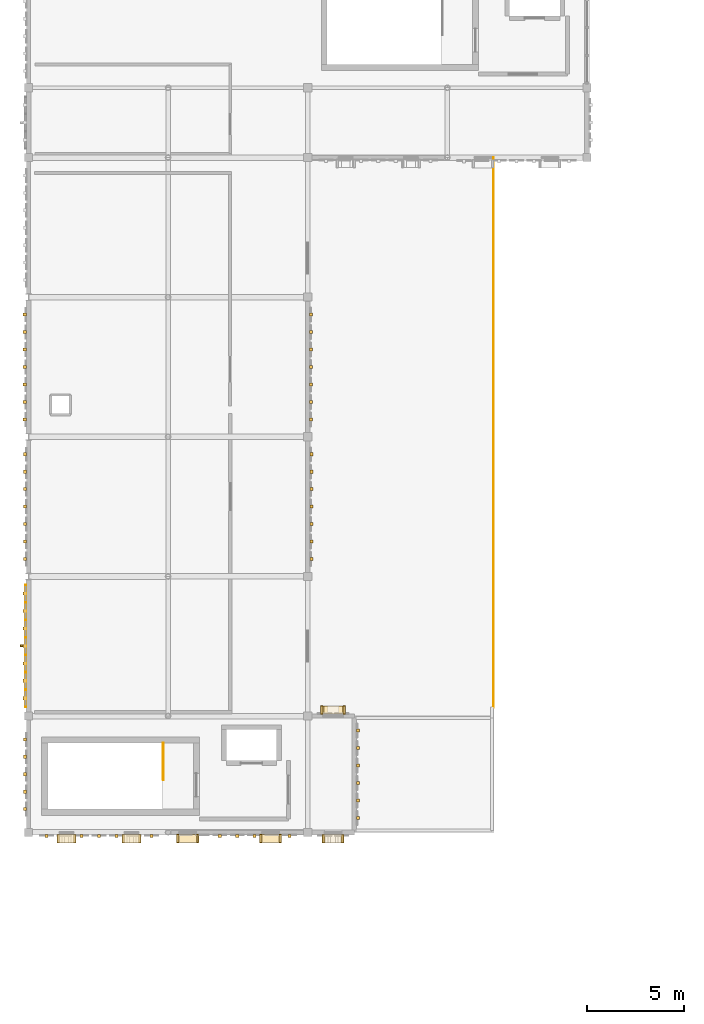
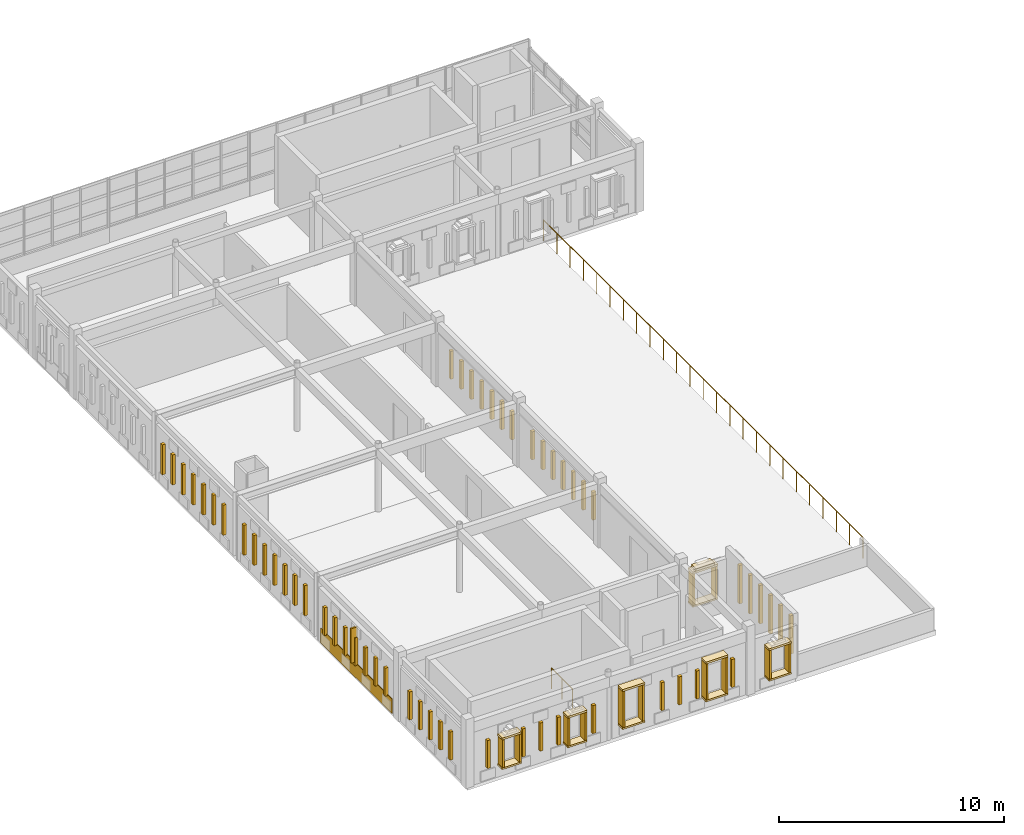
# One storey, part 35 of 46: 81 coverings, 2 railings, 1 shading device.
"""IFC4 building model written with IfcOpenShell, lengths in metres."""

from ifc_helpers import new_model, si_unit, direction, frame, origin, origin_2d, place, context, subcontext, project, spatial, rectangle, circle, extrude, material, layer, layer_set, type_object, element, save


model = new_model("IFC4")

# Units and contexts
model_context = context("Model", 3, precision=1e-05, world=origin(), true_north=direction((0.0, 1.0)))
body_context = subcontext(model_context, "Body", "Model", "MODEL_VIEW")
ifc_project = project(units=[si_unit("LENGTHUNIT", "METRE"), si_unit("AREAUNIT", "SQUARE_METRE"), si_unit("VOLUMEUNIT", "CUBIC_METRE"), si_unit("PLANEANGLEUNIT", "RADIAN"), si_unit("MASSUNIT", "GRAM", prefix="KILO")], contexts=[model_context])

# Site, building, storey
site_placement = place(None, origin())
site = spatial("IfcSite", under=ifc_project, at=site_placement, CompositionType="ELEMENT")
building_placement = place(site_placement, origin())
building = spatial("IfcBuilding", under=site, at=building_placement, Name="Nzembalo Square Collegiate School", CompositionType="ELEMENT")
storey_placement = place(building_placement, frame((0.0, 0.0, 17.340087890625)))
storey = spatial("IfcBuildingStorey", under=building, at=storey_placement, Name="L04", CompositionType="ELEMENT", Elevation=17.340087890625)

# Coverings
ifc_material_1 = material(Name="Glazed cobalt ceramic patterned tile")
ifc_layer_1 = layer(ifc_material_1, 0.074951171875, Name="Glazed cobalt ceramic patterned tile")
ifc_layer_set_1 = layer_set([ifc_layer_1], Name="Glazed cobalt ceramic patterned tile")
covering_type_1 = type_object("IfcCoveringType", Name="CL01", PredefinedType="CLADDING", material=ifc_layer_set_1)
covering_1_placement = place(storey_placement, frame((8.262451171875, 54.02001953125, 0.02001953125), z_axis=(0.0, 0.0, 1.0), x_axis=(1.0, 0.0, 0.0)))
element("IfcCovering", 1, at=covering_1_placement, inside=storey, type_object=covering_type_1, Name="Faience spandrel cladding CL01-0268", PredefinedType="CLADDING", context=body_context, shape_type="SweptSolid", body=[
    extrude(rectangle(XDim=0.034912109375, YDim=6.31591796875, at=origin_2d()), origin(), (0.0, 0.0, 1.0), 0.800048828125),
])
ifc_material_2 = material(Name="Glazed ochre ceramic lancet rib")
ifc_layer_2 = layer(ifc_material_2, 0.159912109375, Name="Glazed ochre ceramic lancet rib")
ifc_layer_set_2 = layer_set([ifc_layer_2], Name="Glazed ochre ceramic lancet rib")
covering_type_2 = type_object("IfcCoveringType", Name="CL02", PredefinedType="CLADDING", material=ifc_layer_set_2)
for number, where, z_axis, x_axis, name in (
    (2, (9.336669921875, 44.20751953125, 0.760009765625), (0.0, 0.0, 1.0), (1.0, 0.0, 0.0), "Gothic ceramic rib CL02-X0264-0"),
    (3, (11.13671875, 44.20751953125, 0.760009765625), (0.0, 0.0, 1.0), (1.0, 0.0, 0.0), "Gothic ceramic rib CL02-X0264-2"),
    (4, (12.03662109375, 44.20751953125, 0.760009765625), (0.0, 0.0, 1.0), (1.0, 0.0, 0.0), "Gothic ceramic rib CL02-X0264-3"),
    (5, (12.936767578125, 44.20751953125, 0.760009765625), (0.0, 0.0, 1.0), (1.0, 0.0, 0.0), "Gothic ceramic rib CL02-X0264-4"),
    (6, (14.73681640625, 44.20751953125, 0.760009765625), (0.0, 0.0, 1.0), (1.0, 0.0, 0.0), "Gothic ceramic rib CL02-X0264-6"),
    (7, (18.26318359375, 44.222412109375, 0.760009765625), (0.0, 0.0, 1.0), (1.0, 0.0, 0.0), "Gothic ceramic rib CL02-X0265-2"),
    (8, (19.1630859375, 44.222412109375, 0.760009765625), (0.0, 0.0, 1.0), (1.0, 0.0, 0.0), "Gothic ceramic rib CL02-X0265-3"),
    (9, (20.063232421875, 44.222412109375, 0.760009765625), (0.0, 0.0, 1.0), (1.0, 0.0, 0.0), "Gothic ceramic rib CL02-X0265-4"),
    (10, (21.86328125, 44.222412109375, 0.760009765625), (0.0, 0.0, 1.0), (1.0, 0.0, 0.0), "Gothic ceramic rib CL02-X0265-6"),
    (11, (8.222412109375, 45.60009765625, 0.760009765625), (0.0, 0.0, 1.0), (1.0, 0.0, 0.0), "Gothic ceramic rib CL02-Y0267-0"),
    (12, (8.222412109375, 46.5, 0.760009765625), (0.0, 0.0, 1.0), (1.0, 0.0, 0.0), "Gothic ceramic rib CL02-Y0267-1"),
    (13, (8.222412109375, 47.39990234375, 0.760009765625), (0.0, 0.0, 1.0), (1.0, 0.0, 0.0), "Gothic ceramic rib CL02-Y0267-2"),
    (14, (8.222412109375, 48.300048828125, 0.760009765625), (0.0, 0.0, 1.0), (1.0, 0.0, 0.0), "Gothic ceramic rib CL02-Y0267-3"),
    (15, (8.222412109375, 49.199951171875, 0.760009765625), (0.0, 0.0, 1.0), (1.0, 0.0, 0.0), "Gothic ceramic rib CL02-Y0267-4"),
    (16, (8.20751953125, 51.320068359375, 0.760009765625), (0.0, 0.0, 1.0), (1.0, 0.0, 0.0), "Gothic ceramic rib CL02-Y0268-0"),
    (17, (8.20751953125, 52.219970703125, 0.760009765625), (0.0, 0.0, 1.0), (1.0, 0.0, 0.0), "Gothic ceramic rib CL02-Y0268-1"),
    (18, (8.20751953125, 53.1201171875, 0.760009765625), (0.0, 0.0, 1.0), (1.0, 0.0, 0.0), "Gothic ceramic rib CL02-Y0268-2"),
    (19, (8.20751953125, 54.02001953125, 0.760009765625), (0.0, 0.0, 1.0), (1.0, 0.0, 0.0), "Gothic ceramic rib CL02-Y0268-3"),
    (20, (8.20751953125, 54.919921875, 0.760009765625), (0.0, 0.0, 1.0), (1.0, 0.0, 0.0), "Gothic ceramic rib CL02-Y0268-4"),
    (21, (8.20751953125, 55.820068359375, 0.760009765625), (0.0, 0.0, 1.0), (1.0, 0.0, 0.0), "Gothic ceramic rib CL02-Y0268-5"),
    (22, (8.20751953125, 56.719970703125, 0.760009765625), (0.0, 0.0, 1.0), (1.0, 0.0, 0.0), "Gothic ceramic rib CL02-Y0268-6"),
):
    element("IfcCovering", number, at=place(storey_placement, frame(where, z_axis=z_axis, x_axis=x_axis)), inside=storey, type_object=covering_type_2, Name=name, PredefinedType="CLADDING", context=body_context, shape_type="SweptSolid", body=[
        extrude(rectangle(XDim=0.159912109375, YDim=0.159912109375, at=origin_2d()), origin(), (0.0, 0.0, 1.0), 1.51904296875),
    ])
for number, where, z_axis, x_axis, name in (
    (23, (8.222412109375, 58.5, 0.760009765625), (0.0, 0.0, 1.0), (1.0, 0.0, 0.0), "Gothic ceramic rib CL02-Y0269-0"),
    (24, (8.222412109375, 59.39990234375, 0.760009765625), (0.0, 0.0, 1.0), (1.0, 0.0, 0.0), "Gothic ceramic rib CL02-Y0269-1"),
    (25, (8.222412109375, 60.300048828125, 0.760009765625), (0.0, 0.0, 1.0), (1.0, 0.0, 0.0), "Gothic ceramic rib CL02-Y0269-2"),
    (26, (8.222412109375, 61.199951171875, 0.760009765625), (0.0, 0.0, 1.0), (1.0, 0.0, 0.0), "Gothic ceramic rib CL02-Y0269-3"),
    (27, (8.222412109375, 62.10009765625, 0.760009765625), (0.0, 0.0, 1.0), (1.0, 0.0, 0.0), "Gothic ceramic rib CL02-Y0269-4"),
    (28, (8.222412109375, 63.0, 0.760009765625), (0.0, 0.0, 1.0), (1.0, 0.0, 0.0), "Gothic ceramic rib CL02-Y0269-5"),
    (29, (8.222412109375, 63.89990234375, 0.760009765625), (0.0, 0.0, 1.0), (1.0, 0.0, 0.0), "Gothic ceramic rib CL02-Y0269-6"),
    (30, (8.20751953125, 65.699951171875, 0.760009765625), (0.0, 0.0, 1.0), (1.0, 0.0, 0.0), "Gothic ceramic rib CL02-Y0270-0"),
    (31, (8.20751953125, 66.60009765625, 0.760009765625), (0.0, 0.0, 1.0), (1.0, 0.0, 0.0), "Gothic ceramic rib CL02-Y0270-1"),
    (32, (8.20751953125, 67.5, 0.760009765625), (0.0, 0.0, 1.0), (1.0, 0.0, 0.0), "Gothic ceramic rib CL02-Y0270-2"),
    (33, (8.20751953125, 68.39990234375, 0.760009765625), (0.0, 0.0, 1.0), (1.0, 0.0, 0.0), "Gothic ceramic rib CL02-Y0270-3"),
    (34, (8.20751953125, 69.300048828125, 0.760009765625), (0.0, 0.0, 1.0), (1.0, 0.0, 0.0), "Gothic ceramic rib CL02-Y0270-4"),
    (35, (8.20751953125, 70.199951171875, 0.760009765625), (0.0, 0.0, 1.0), (1.0, 0.0, 0.0), "Gothic ceramic rib CL02-Y0270-5"),
    (36, (8.20751953125, 71.10009765625, 0.760009765625), (0.0, 0.0, 1.0), (1.0, 0.0, 0.0), "Gothic ceramic rib CL02-Y0270-6"),
):
    element("IfcCovering", number, at=place(storey_placement, frame(where, z_axis=z_axis, x_axis=x_axis)), inside=storey, type_object=covering_type_2, Name=name, PredefinedType="CLADDING", context=body_context, shape_type="SweptSolid", body=[
        extrude(rectangle(XDim=0.159912109375, YDim=0.159912109375, at=origin_2d()), origin(), (0.0, 0.0, 1.0), 1.62890625),
    ])
for number, where, z_axis, x_axis, name in (
    (37, (22.992431640625, 58.5, 0.760009765625), (0.0, 0.0, 1.0), (1.0, 0.0, 0.0), "Gothic ceramic rib CL02-Y0278-0"),
    (38, (22.992431640625, 59.39990234375, 0.760009765625), (0.0, 0.0, 1.0), (1.0, 0.0, 0.0), "Gothic ceramic rib CL02-Y0278-1"),
    (39, (22.992431640625, 60.300048828125, 0.760009765625), (0.0, 0.0, 1.0), (1.0, 0.0, 0.0), "Gothic ceramic rib CL02-Y0278-2"),
    (40, (22.992431640625, 61.199951171875, 0.760009765625), (0.0, 0.0, 1.0), (1.0, 0.0, 0.0), "Gothic ceramic rib CL02-Y0278-3"),
    (41, (22.992431640625, 62.10009765625, 0.760009765625), (0.0, 0.0, 1.0), (1.0, 0.0, 0.0), "Gothic ceramic rib CL02-Y0278-4"),
    (42, (22.992431640625, 63.0, 0.760009765625), (0.0, 0.0, 1.0), (1.0, 0.0, 0.0), "Gothic ceramic rib CL02-Y0278-5"),
    (43, (22.992431640625, 63.89990234375, 0.760009765625), (0.0, 0.0, 1.0), (1.0, 0.0, 0.0), "Gothic ceramic rib CL02-Y0278-6"),
    (44, (22.9775390625, 65.699951171875, 0.760009765625), (0.0, 0.0, 1.0), (1.0, 0.0, 0.0), "Gothic ceramic rib CL02-Y0279-0"),
    (45, (22.9775390625, 66.60009765625, 0.760009765625), (0.0, 0.0, 1.0), (1.0, 0.0, 0.0), "Gothic ceramic rib CL02-Y0279-1"),
    (46, (22.9775390625, 67.5, 0.760009765625), (0.0, 0.0, 1.0), (1.0, 0.0, 0.0), "Gothic ceramic rib CL02-Y0279-2"),
    (47, (22.9775390625, 68.39990234375, 0.760009765625), (0.0, 0.0, 1.0), (1.0, 0.0, 0.0), "Gothic ceramic rib CL02-Y0279-3"),
    (48, (22.9775390625, 69.300048828125, 0.760009765625), (0.0, 0.0, 1.0), (1.0, 0.0, 0.0), "Gothic ceramic rib CL02-Y0279-4"),
    (49, (22.9775390625, 70.199951171875, 0.760009765625), (0.0, 0.0, 1.0), (1.0, 0.0, 0.0), "Gothic ceramic rib CL02-Y0279-5"),
    (50, (22.9775390625, 71.10009765625, 0.760009765625), (0.0, 0.0, 1.0), (1.0, 0.0, 0.0), "Gothic ceramic rib CL02-Y0279-6"),
):
    element("IfcCovering", number, at=place(storey_placement, frame(where, z_axis=z_axis, x_axis=x_axis)), inside=storey, type_object=covering_type_2, Name=name, PredefinedType="CLADDING", context=body_context, shape_type="SweptSolid", body=[
        extrude(rectangle(XDim=0.159912109375, YDim=0.159912109375, at=origin_2d()), origin(), (0.0, 0.0, 1.0), 1.51904296875),
    ])
for number, where, z_axis, x_axis, name in (
    (51, (25.392578125, 45.14990234375, 0.760009765625), (0.0, 0.0, 1.0), (1.0, 0.0, 0.0), "Gothic ceramic rib CL02-Y0282-0"),
    (52, (25.392578125, 46.050048828125, 0.760009765625), (0.0, 0.0, 1.0), (1.0, 0.0, 0.0), "Gothic ceramic rib CL02-Y0282-1"),
    (53, (25.392578125, 46.949951171875, 0.760009765625), (0.0, 0.0, 1.0), (1.0, 0.0, 0.0), "Gothic ceramic rib CL02-Y0282-2"),
    (54, (25.392578125, 47.85009765625, 0.760009765625), (0.0, 0.0, 1.0), (1.0, 0.0, 0.0), "Gothic ceramic rib CL02-Y0282-3"),
    (55, (25.392578125, 48.75, 0.760009765625), (0.0, 0.0, 1.0), (1.0, 0.0, 0.0), "Gothic ceramic rib CL02-Y0282-4"),
    (56, (25.392578125, 49.64990234375, 0.760009765625), (0.0, 0.0, 1.0), (1.0, 0.0, 0.0), "Gothic ceramic rib CL02-Y0282-5"),
):
    element("IfcCovering", number, at=place(storey_placement, frame(where, z_axis=z_axis, x_axis=x_axis)), inside=storey, type_object=covering_type_2, Name=name, PredefinedType="CLADDING", context=body_context, shape_type="SweptSolid", body=[
        extrude(rectangle(XDim=0.159912109375, YDim=0.159912109375, at=origin_2d()), origin(), (0.0, 0.0, 1.0), 2.083984375),
    ])
ifc_material_3 = material(Name="Glazed celadon ceramic window frame")
ifc_layer_3 = layer(ifc_material_3, 0.419921875, Name="Glazed celadon ceramic window frame")
ifc_layer_set_3 = layer_set([ifc_layer_3], Name="Glazed celadon ceramic window frame")
covering_type_3 = type_object("IfcCoveringType", Name="WF01", PredefinedType="CLADDING", material=ifc_layer_set_3)
covering_2_placement = place(storey_placement, frame((10.35693359375, 44.072509765625, 2.2548828125), z_axis=(0.0, 0.0, 1.0), x_axis=(1.0, 0.0, 0.0)))
element("IfcCovering", 57, at=covering_2_placement, inside=storey, type_object=covering_type_3, Name="Deep lancet window hood WF01-0966", PredefinedType="CLADDING", context=body_context, shape_type="SweptSolid", body=[
    extrude(rectangle(XDim=0.989990234375, YDim=0.419921875, at=origin_2d()), origin(), (0.0, 0.0, 1.0), 0.110107421875),
])
covering_3_placement = place(storey_placement, frame((10.35693359375, 44.072509765625, 0.65478515625), z_axis=(0.0, 0.0, 1.0), x_axis=(1.0, 0.0, 0.0)))
element("IfcCovering", 58, at=covering_3_placement, inside=storey, type_object=covering_type_3, Name="Deep lancet window sill WF01-0966", PredefinedType="CLADDING", context=body_context, shape_type="SweptSolid", body=[
    extrude(rectangle(XDim=0.989990234375, YDim=0.419921875, at=origin_2d()), origin(), (0.0, 0.0, 1.0), 0.090087890625),
])
for number, where, z_axis, x_axis, name in (
    (59, (9.927001953125, 44.072509765625, 0.75), (0.0, 0.0, 1.0), (1.0, 0.0, 0.0), "Deep lancet window jamb WF01-0966L"),
    (60, (10.786865234375, 44.072509765625, 0.75), (0.0, 0.0, 1.0), (1.0, 0.0, 0.0), "Deep lancet window jamb WF01-0966R"),
):
    element("IfcCovering", number, at=place(storey_placement, frame(where, z_axis=z_axis, x_axis=x_axis)), inside=storey, type_object=covering_type_3, Name=name, PredefinedType="CLADDING", context=body_context, shape_type="SweptSolid", body=[
        extrude(rectangle(XDim=0.10009765625, YDim=0.419921875, at=origin_2d()), origin(), (0.0, 0.0, 1.0), 1.5),
    ])
covering_4_placement = place(storey_placement, frame((13.716552734375, 44.072509765625, 2.2548828125), z_axis=(0.0, 0.0, 1.0), x_axis=(1.0, 0.0, 0.0)))
element("IfcCovering", 61, at=covering_4_placement, inside=storey, type_object=covering_type_3, Name="Deep lancet window hood WF01-0967", PredefinedType="CLADDING", context=body_context, shape_type="SweptSolid", body=[
    extrude(rectangle(XDim=0.989990234375, YDim=0.419921875, at=origin_2d()), origin(), (0.0, 0.0, 1.0), 0.110107421875),
])
covering_5_placement = place(storey_placement, frame((13.716552734375, 44.072509765625, 0.65478515625), z_axis=(0.0, 0.0, 1.0), x_axis=(1.0, 0.0, 0.0)))
element("IfcCovering", 62, at=covering_5_placement, inside=storey, type_object=covering_type_3, Name="Deep lancet window sill WF01-0967", PredefinedType="CLADDING", context=body_context, shape_type="SweptSolid", body=[
    extrude(rectangle(XDim=0.989990234375, YDim=0.419921875, at=origin_2d()), origin(), (0.0, 0.0, 1.0), 0.090087890625),
])
for number, where, z_axis, x_axis, name in (
    (63, (13.28662109375, 44.072509765625, 0.75), (0.0, 0.0, 1.0), (1.0, 0.0, 0.0), "Deep lancet window jamb WF01-0967L"),
    (64, (14.146484375, 44.072509765625, 0.75), (0.0, 0.0, 1.0), (1.0, 0.0, 0.0), "Deep lancet window jamb WF01-0967R"),
):
    element("IfcCovering", number, at=place(storey_placement, frame(where, z_axis=z_axis, x_axis=x_axis)), inside=storey, type_object=covering_type_3, Name=name, PredefinedType="CLADDING", context=body_context, shape_type="SweptSolid", body=[
        extrude(rectangle(XDim=0.10009765625, YDim=0.419921875, at=origin_2d()), origin(), (0.0, 0.0, 1.0), 1.5),
    ])
covering_6_placement = place(storey_placement, frame((16.610107421875, 44.08740234375, 2.705078125), z_axis=(0.0, 0.0, 1.0), x_axis=(1.0, 0.0, 0.0)))
element("IfcCovering", 65, at=covering_6_placement, inside=storey, type_object=covering_type_3, Name="Deep lancet window hood WF01-0969", PredefinedType="CLADDING", context=body_context, shape_type="SweptSolid", body=[
    extrude(rectangle(XDim=1.139892578125, YDim=0.419921875, at=origin_2d()), origin(), (0.0, 0.0, 1.0), 0.110107421875),
])
covering_7_placement = place(storey_placement, frame((16.610107421875, 44.08740234375, 0.65478515625), z_axis=(0.0, 0.0, 1.0), x_axis=(1.0, 0.0, 0.0)))
element("IfcCovering", 66, at=covering_7_placement, inside=storey, type_object=covering_type_3, Name="Deep lancet window sill WF01-0969", PredefinedType="CLADDING", context=body_context, shape_type="SweptSolid", body=[
    extrude(rectangle(XDim=1.139892578125, YDim=0.419921875, at=origin_2d()), origin(), (0.0, 0.0, 1.0), 0.090087890625),
])
for number, where, z_axis, x_axis, name in (
    (67, (16.10498046875, 44.08740234375, 0.75), (0.0, 0.0, 1.0), (1.0, 0.0, 0.0), "Deep lancet window jamb WF01-0969L"),
    (68, (17.114990234375, 44.08740234375, 0.75), (0.0, 0.0, 1.0), (1.0, 0.0, 0.0), "Deep lancet window jamb WF01-0969R"),
):
    element("IfcCovering", number, at=place(storey_placement, frame(where, z_axis=z_axis, x_axis=x_axis)), inside=storey, type_object=covering_type_3, Name=name, PredefinedType="CLADDING", context=body_context, shape_type="SweptSolid", body=[
        extrude(rectangle(XDim=0.10009765625, YDim=0.419921875, at=origin_2d()), origin(), (0.0, 0.0, 1.0), 1.949951171875),
    ])
covering_8_placement = place(storey_placement, frame((20.880615234375, 44.08740234375, 2.705078125), z_axis=(0.0, 0.0, 1.0), x_axis=(1.0, 0.0, 0.0)))
element("IfcCovering", 69, at=covering_8_placement, inside=storey, type_object=covering_type_3, Name="Deep lancet window hood WF01-0970", PredefinedType="CLADDING", context=body_context, shape_type="SweptSolid", body=[
    extrude(rectangle(XDim=1.139892578125, YDim=0.419921875, at=origin_2d()), origin(), (0.0, 0.0, 1.0), 0.110107421875),
])
covering_9_placement = place(storey_placement, frame((20.880615234375, 44.08740234375, 0.65478515625), z_axis=(0.0, 0.0, 1.0), x_axis=(1.0, 0.0, 0.0)))
element("IfcCovering", 70, at=covering_9_placement, inside=storey, type_object=covering_type_3, Name="Deep lancet window sill WF01-0970", PredefinedType="CLADDING", context=body_context, shape_type="SweptSolid", body=[
    extrude(rectangle(XDim=1.139892578125, YDim=0.419921875, at=origin_2d()), origin(), (0.0, 0.0, 1.0), 0.090087890625),
])
for number, where, z_axis, x_axis, name in (
    (71, (20.37548828125, 44.08740234375, 0.75), (0.0, 0.0, 1.0), (1.0, 0.0, 0.0), "Deep lancet window jamb WF01-0970L"),
    (72, (21.385498046875, 44.08740234375, 0.75), (0.0, 0.0, 1.0), (1.0, 0.0, 0.0), "Deep lancet window jamb WF01-0970R"),
):
    element("IfcCovering", number, at=place(storey_placement, frame(where, z_axis=z_axis, x_axis=x_axis)), inside=storey, type_object=covering_type_3, Name=name, PredefinedType="CLADDING", context=body_context, shape_type="SweptSolid", body=[
        extrude(rectangle(XDim=0.10009765625, YDim=0.419921875, at=origin_2d()), origin(), (0.0, 0.0, 1.0), 1.949951171875),
    ])
covering_10_placement = place(storey_placement, frame((24.10595703125, 44.072509765625, 2.3046875), z_axis=(0.0, 0.0, 1.0), x_axis=(1.0, 0.0, 0.0)))
element("IfcCovering", 73, at=covering_10_placement, inside=storey, type_object=covering_type_3, Name="Deep lancet window hood WF01-0971", PredefinedType="CLADDING", context=body_context, shape_type="SweptSolid", body=[
    extrude(rectangle(XDim=1.139892578125, YDim=0.419921875, at=origin_2d()), origin(), (0.0, 0.0, 1.0), 0.110107421875),
])
covering_11_placement = place(storey_placement, frame((24.10595703125, 44.072509765625, 0.65478515625), z_axis=(0.0, 0.0, 1.0), x_axis=(1.0, 0.0, 0.0)))
element("IfcCovering", 74, at=covering_11_placement, inside=storey, type_object=covering_type_3, Name="Deep lancet window sill WF01-0971", PredefinedType="CLADDING", context=body_context, shape_type="SweptSolid", body=[
    extrude(rectangle(XDim=1.139892578125, YDim=0.419921875, at=origin_2d()), origin(), (0.0, 0.0, 1.0), 0.090087890625),
])
for number, where, z_axis, x_axis, name in (
    (75, (23.60107421875, 44.072509765625, 0.75), (0.0, 0.0, 1.0), (1.0, 0.0, 0.0), "Deep lancet window jamb WF01-0971L"),
    (76, (24.611083984375, 44.072509765625, 0.75), (0.0, 0.0, 1.0), (1.0, 0.0, 0.0), "Deep lancet window jamb WF01-0971R"),
):
    element("IfcCovering", number, at=place(storey_placement, frame(where, z_axis=z_axis, x_axis=x_axis)), inside=storey, type_object=covering_type_3, Name=name, PredefinedType="CLADDING", context=body_context, shape_type="SweptSolid", body=[
        extrude(rectangle(XDim=0.10009765625, YDim=0.419921875, at=origin_2d()), origin(), (0.0, 0.0, 1.0), 1.550048828125),
    ])
covering_12_placement = place(storey_placement, frame((24.10595703125, 50.71240234375, 2.455078125), z_axis=(0.0, 0.0, 1.0), x_axis=(1.0, 0.0, 0.0)))
element("IfcCovering", 77, at=covering_12_placement, inside=storey, type_object=covering_type_3, Name="Deep lancet window hood WF01-1049", PredefinedType="CLADDING", context=body_context, shape_type="SweptSolid", body=[
    extrude(rectangle(XDim=1.2900390625, YDim=0.419921875, at=origin_2d()), origin(), (0.0, 0.0, 1.0), 0.110107421875),
])
covering_13_placement = place(storey_placement, frame((24.10595703125, 50.71240234375, 2.559814453125), z_axis=(0.0, 0.0, 1.0), x_axis=(1.0, 0.0, 0.0)))
element("IfcCovering", 78, at=covering_13_placement, inside=storey, type_object=covering_type_3, Name="Pointed lancet gable WF01-1049-1", PredefinedType="CLADDING", context=body_context, shape_type="SweptSolid", body=[
    extrude(rectangle(XDim=0.949951171875, YDim=0.419921875, at=origin_2d()), origin(), (0.0, 0.0, 1.0), 0.1201171875),
])
covering_14_placement = place(storey_placement, frame((24.10595703125, 50.71240234375, 0.65478515625), z_axis=(0.0, 0.0, 1.0), x_axis=(1.0, 0.0, 0.0)))
element("IfcCovering", 79, at=covering_14_placement, inside=storey, type_object=covering_type_3, Name="Deep lancet window sill WF01-1049", PredefinedType="CLADDING", context=body_context, shape_type="SweptSolid", body=[
    extrude(rectangle(XDim=1.2900390625, YDim=0.419921875, at=origin_2d()), origin(), (0.0, 0.0, 1.0), 0.090087890625),
])
for number, where, z_axis, x_axis, name in (
    (80, (23.52587890625, 50.71240234375, 0.75), (0.0, 0.0, 1.0), (1.0, 0.0, 0.0), "Deep lancet window jamb WF01-1049L"),
    (81, (24.68603515625, 50.71240234375, 0.75), (0.0, 0.0, 1.0), (1.0, 0.0, 0.0), "Deep lancet window jamb WF01-1049R"),
):
    element("IfcCovering", number, at=place(storey_placement, frame(where, z_axis=z_axis, x_axis=x_axis)), inside=storey, type_object=covering_type_3, Name=name, PredefinedType="CLADDING", context=body_context, shape_type="SweptSolid", body=[
        extrude(rectangle(XDim=0.10009765625, YDim=0.419921875, at=origin_2d()), origin(), (0.0, 0.0, 1.0), 1.699951171875),
    ])

# Railings
ifc_material_4 = material(Name="Steel S355", Category="steel")
railing_type_1 = type_object("IfcRailingType", Name="BL01", PredefinedType="BALUSTRADE", material=ifc_material_4)
railing_1_placement = place(storey_placement, frame((32.3798828125, 50.85009765625, 0.0)))
element("IfcRailing", 82, at=railing_1_placement, inside=storey, type_object=railing_type_1, Name="Terrace balustrade BL-08A", PredefinedType="BALUSTRADE", context=body_context, shape_type="SweptSolid", body=[
    extrude(circle(Radius=0.02392578125, at=origin_2d()), frame((0.0, 0.0, 1.1259765625), z_axis=(0.0, 1.0, 0.0), x_axis=(-1.0, 0.0, 0.0)), (0.0, 0.0, 1.0), 28.349853515625),
    extrude(circle(Radius=0.02099609375, at=origin_2d()), origin(), (0.0, 0.0, 1.0), 1.101806640625),
    extrude(circle(Radius=0.02099609375, at=origin_2d()), frame((0.0, 1.18115234375, 0.0)), (0.0, 0.0, 1.0), 1.101806640625),
    extrude(circle(Radius=0.02099609375, at=origin_2d()), frame((0.0, 2.362548828125, 0.0)), (0.0, 0.0, 1.0), 1.101806640625),
    extrude(circle(Radius=0.02099609375, at=origin_2d()), frame((0.0, 3.543701171875, 0.0)), (0.0, 0.0, 1.0), 1.101806640625),
    extrude(circle(Radius=0.02099609375, at=origin_2d()), frame((0.0, 4.72509765625, 0.0)), (0.0, 0.0, 1.0), 1.101806640625),
    extrude(circle(Radius=0.02099609375, at=origin_2d()), frame((0.0, 5.90625, 0.0)), (0.0, 0.0, 1.0), 1.101806640625),
    extrude(circle(Radius=0.02099609375, at=origin_2d()), frame((0.0, 7.08740234375, 0.0)), (0.0, 0.0, 1.0), 1.101806640625),
    extrude(circle(Radius=0.02099609375, at=origin_2d()), frame((0.0, 8.268798828125, 0.0)), (0.0, 0.0, 1.0), 1.101806640625),
    extrude(circle(Radius=0.02099609375, at=origin_2d()), frame((0.0, 9.449951171875, 0.0)), (0.0, 0.0, 1.0), 1.101806640625),
    extrude(circle(Radius=0.02099609375, at=origin_2d()), frame((0.0, 10.631103515625, 0.0)), (0.0, 0.0, 1.0), 1.101806640625),
    extrude(circle(Radius=0.02099609375, at=origin_2d()), frame((0.0, 11.8125, 0.0)), (0.0, 0.0, 1.0), 1.101806640625),
    extrude(circle(Radius=0.02099609375, at=origin_2d()), frame((0.0, 12.99365234375, 0.0)), (0.0, 0.0, 1.0), 1.101806640625),
    extrude(circle(Radius=0.02099609375, at=origin_2d()), frame((0.0, 14.1748046875, 0.0)), (0.0, 0.0, 1.0), 1.101806640625),
    extrude(circle(Radius=0.02099609375, at=origin_2d()), frame((0.0, 15.356201171875, 0.0)), (0.0, 0.0, 1.0), 1.101806640625),
    extrude(circle(Radius=0.02099609375, at=origin_2d()), frame((0.0, 16.537353515625, 0.0)), (0.0, 0.0, 1.0), 1.101806640625),
    extrude(circle(Radius=0.02099609375, at=origin_2d()), frame((0.0, 17.71875, 0.0)), (0.0, 0.0, 1.0), 1.101806640625),
    extrude(circle(Radius=0.02099609375, at=origin_2d()), frame((0.0, 18.89990234375, 0.0)), (0.0, 0.0, 1.0), 1.101806640625),
    extrude(circle(Radius=0.02099609375, at=origin_2d()), frame((0.0, 20.0810546875, 0.0)), (0.0, 0.0, 1.0), 1.101806640625),
    extrude(circle(Radius=0.02099609375, at=origin_2d()), frame((0.0, 21.262451171875, 0.0)), (0.0, 0.0, 1.0), 1.101806640625),
    extrude(circle(Radius=0.02099609375, at=origin_2d()), frame((0.0, 22.443603515625, 0.0)), (0.0, 0.0, 1.0), 1.101806640625),
    extrude(circle(Radius=0.02099609375, at=origin_2d()), frame((0.0, 23.625, 0.0)), (0.0, 0.0, 1.0), 1.101806640625),
    extrude(circle(Radius=0.02099609375, at=origin_2d()), frame((0.0, 24.80615234375, 0.0)), (0.0, 0.0, 1.0), 1.101806640625),
    extrude(circle(Radius=0.02099609375, at=origin_2d()), frame((0.0, 25.9873046875, 0.0)), (0.0, 0.0, 1.0), 1.101806640625),
    extrude(circle(Radius=0.02099609375, at=origin_2d()), frame((0.0, 27.168701171875, 0.0)), (0.0, 0.0, 1.0), 1.101806640625),
    extrude(circle(Radius=0.02099609375, at=origin_2d()), frame((0.0, 28.349853515625, 0.0)), (0.0, 0.0, 1.0), 1.101806640625),
])
ifc_material_5 = material(Name="Steel S355", Category="steel")
railing_type_2 = type_object("IfcRailingType", Name="GR01", PredefinedType="GUARDRAIL", material=ifc_material_5)
railing_2_placement = place(storey_placement, frame((15.35009765625, 47.1201171875, -0.005126953125)))
element("IfcRailing", 83, at=railing_2_placement, inside=storey, type_object=railing_type_2, Name="Top stairwell guard GR-C1-T1", PredefinedType="GUARDRAIL", context=body_context, shape_type="SweptSolid", body=[
    extrude(circle(Radius=0.02392578125, at=origin_2d()), frame((0.0, 0.0, 1.1259765625), z_axis=(0.0, 1.0, 0.0), x_axis=(-1.0, 0.0, 0.0)), (0.0, 0.0, 1.0), 1.889892578125),
    extrude(circle(Radius=0.02099609375, at=origin_2d()), origin(), (0.0, 0.0, 1.0), 1.101806640625),
    extrude(circle(Radius=0.02099609375, at=origin_2d()), frame((0.0, 0.94482421875, 0.0)), (0.0, 0.0, 1.0), 1.101806640625),
    extrude(circle(Radius=0.02099609375, at=origin_2d()), frame((0.0, 1.889892578125, 0.0)), (0.0, 0.0, 1.0), 1.101806640625),
])

# Shading device
ifc_material_6 = material(Name="Glazed ochre ceramic vertical fin")
shading_device_type = type_object("IfcShadingDeviceType", Name="JL01", PredefinedType="JALOUSIE", material=ifc_material_6)
shading_device_placement = place(storey_placement, frame((8.12255859375, 54.02001953125, 0.9501953125), z_axis=(0.0, 0.0, 1.0), x_axis=(1.0, 0.0, 0.0)))
element("IfcShadingDevice", 84, at=shading_device_placement, inside=storey, type_object=shading_device_type, Name="Ceramic fin JL01-0268", PredefinedType="JALOUSIE", context=body_context, shape_type="SweptSolid", body=[
    extrude(rectangle(XDim=0.320068359375, YDim=0.090087890625, at=origin_2d()), origin(), (0.0, 0.0, 1.0), 1.868896484375),
])

save(model, "model.ifc")
